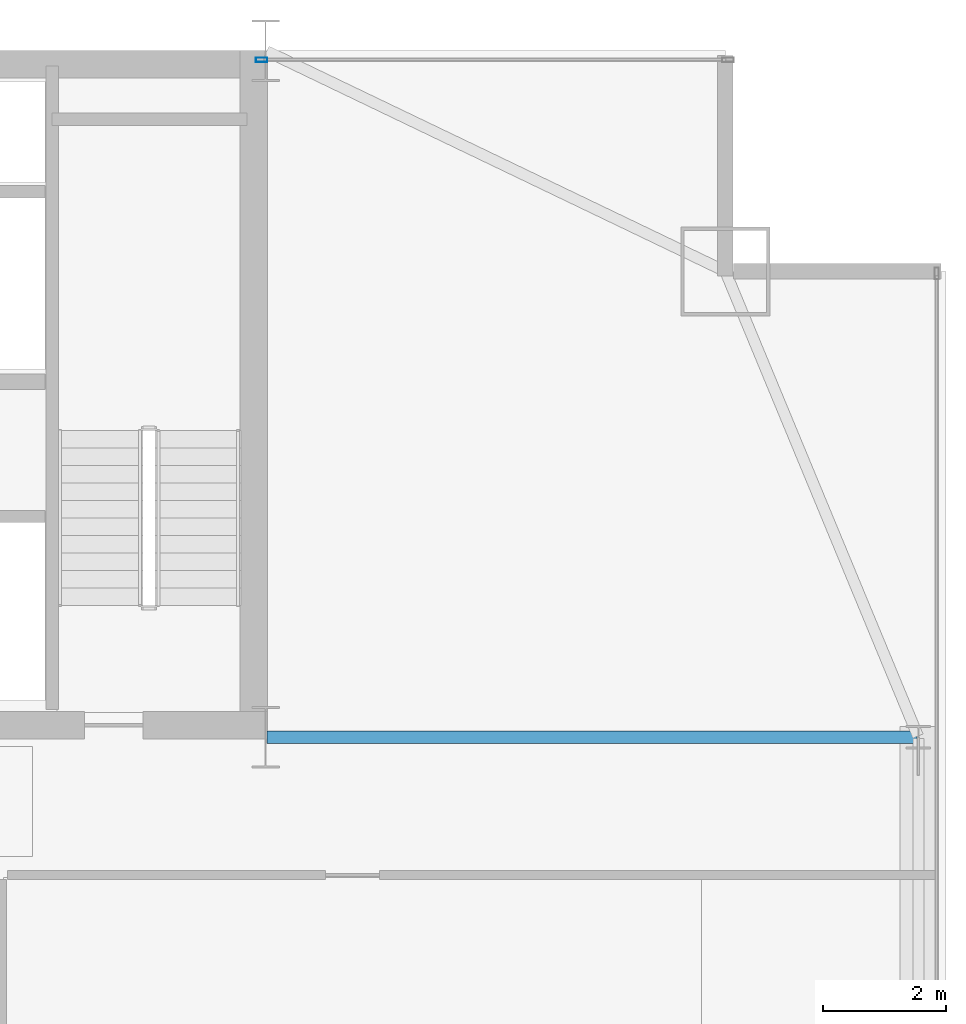
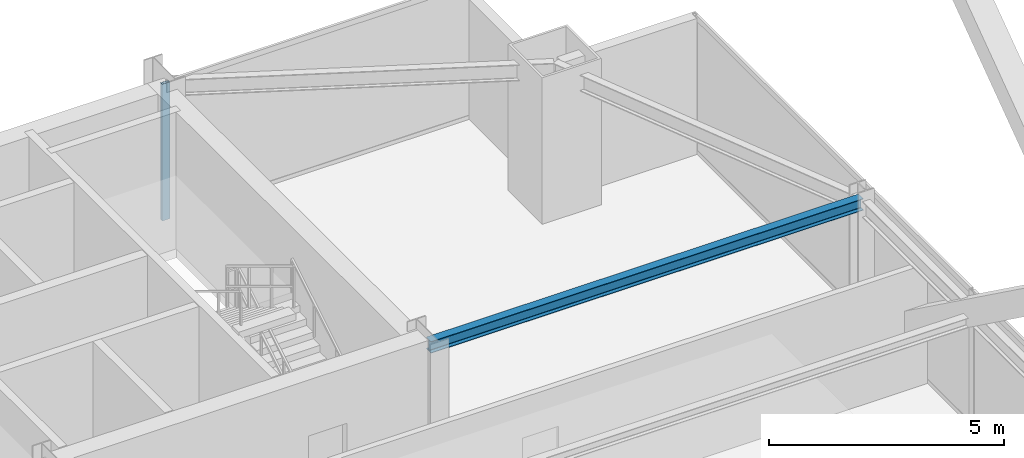
# One storey, part 25 of 37: 1 beam, 1 member, 1 element without a shape of its own.
"""IFC4 building model written with IfcOpenShell, lengths in metres."""

from ifc_helpers import new_model, si_unit, direction, frame, origin, origin_2d, place, context, subcontext, project, spatial, hollow_rectangle, i_section, extrude, source, transform, mapped, material, layer, layer_set, material_profile, profile_set, type_object, type_shapes, element, aggregate, save


model = new_model("IFC4")

# Units and contexts
model_context = context("Model", 3, precision=1e-05, world=origin(), true_north=direction((0.0, 1.0)))
body_context = subcontext(model_context, "Body", "Model", "MODEL_VIEW")
ifc_project = project(units=[si_unit("LENGTHUNIT", "METRE"), si_unit("AREAUNIT", "SQUARE_METRE"), si_unit("VOLUMEUNIT", "CUBIC_METRE"), si_unit("PLANEANGLEUNIT", "RADIAN"), si_unit("MASSUNIT", "GRAM", prefix="KILO")], contexts=[model_context])

# Site, building, storey
site_placement = place(None, origin())
site = spatial("IfcSite", under=ifc_project, at=site_placement, CompositionType="ELEMENT")
building_placement = place(site_placement, origin())
building = spatial("IfcBuilding", under=site, at=building_placement, Name="Varnel Quay Broadcast Tower", CompositionType="ELEMENT")
storey_placement = place(building_placement, frame((0.0, 0.0, 103.0)))
storey = spatial("IfcBuildingStorey", under=building, at=storey_placement, Name="L24", CompositionType="ELEMENT", Elevation=103.0)

# Beam
ifc_material_1 = material(Name="Structural Steel CSA G40.21 350W", Category="steel")
ifc_material_profile_1 = material_profile(ifc_material_1, i_section(OverallWidth=0.202880859375, OverallDepth=0.302978515625, WebThickness=0.007568359375, FlangeThickness=0.01318359375, FilletRadius=0.011962890625, at=origin_2d()), Name="W310X60")
ifc_profile_set_1 = profile_set([ifc_material_profile_1], Name="Structural Steel CSA G40.21 350W")
beam_type = type_object("IfcBeamType", Name="Beam_W310X60", PredefinedType="JOIST", material=ifc_profile_set_1)
shared_shape_1 = source(origin(), body_context, "Body", "SweptSolid", [
    extrude(i_section(OverallWidth=0.202880859375, OverallDepth=0.302978515625, WebThickness=0.007568359375, FlangeThickness=0.01318359375, FilletRadius=0.011962890625, at=origin_2d()), origin(), (0.0, 0.0, 1.0), 10.610107421875),
])
type_shapes(beam_type, [shared_shape_1])
beam_placement = place(storey_placement, frame((52.419921875, 35.60009765625, 3.3984375), z_axis=(1.0, 0.0, 0.0), x_axis=(0.0, 1.0, 0.0)))
element("IfcBeam", 1, at=beam_placement, inside=storey, type_object=beam_type, Name="L24 East Core Tie Joist", PredefinedType="JOIST", context=body_context, shape_type="MappedRepresentation", body=[
    mapped(shared_shape_1, transform((0.0, 0.0, 0.0), x_axis=(1.0, 0.0, 0.0), y_axis=(0.0, 1.0, 0.0), z_axis=(0.0, 0.0, 1.0), scale=1.0)),
])

# Curtain wall, member
ifc_material_2 = material(Name="Anodised Bronze Aluminium 6063-T6", Category="aluminium")
ifc_layer = layer(ifc_material_2, 0.18994140625, Name="Anodised Bronze Aluminium 6063-T6")
ifc_layer_set = layer_set([ifc_layer], Name="Anodised Bronze Aluminium 6063-T6")
curtain_wall_type = type_object("IfcCurtainWallType", Name="CW_LowerTower", PredefinedType="NOTDEFINED", material=ifc_layer_set)
curtain_wall_placement = place(storey_placement, origin())
curtain_wall = element("IfcCurtainWall", 2, at=curtain_wall_placement, inside=storey, type_object=curtain_wall_type, Name="L24 NE Wing Curtain Wall", PredefinedType="NOTDEFINED")
ifc_material_profile_2 = material_profile(ifc_material_2, hollow_rectangle(XDim=0.070068359375, YDim=0.18994140625, WallThickness=0.00390625, at=origin_2d()), Name="ALU70X190X4")
ifc_profile_set_2 = profile_set([ifc_material_profile_2], Name="Anodised Bronze Aluminium 6063-T6")
member_type = type_object("IfcMemberType", Name="Mull_CWS-02", PredefinedType="MULLION", material=ifc_profile_set_2)
shared_shape_2 = source(origin(), body_context, "Body", "SweptSolid", [
    extrude(hollow_rectangle(XDim=0.070068359375, YDim=0.18994140625, WallThickness=0.00390625, at=origin_2d()), origin(), (0.0, 0.0, 1.0), 3.550048828125),
])
type_shapes(member_type, [shared_shape_2])
member_placement = place(storey_placement, frame((52.3349609375, 46.64990234375, 0.0), z_axis=(0.0, 0.0, 1.0), x_axis=(0.0, 1.0, 0.0)))
member = element("IfcMember", 3, at=member_placement, type_object=member_type, Name="CWS-02 mullion 1", PredefinedType="MULLION", context=body_context, shape_type="MappedRepresentation", body=[
    mapped(shared_shape_2, transform((0.0, 0.0, 0.0), x_axis=(1.0, 0.0, 0.0), y_axis=(0.0, 1.0, 0.0), z_axis=(0.0, 0.0, 1.0), scale=1.0)),
])
aggregate(curtain_wall, [member])

save(model, "model.ifc")
